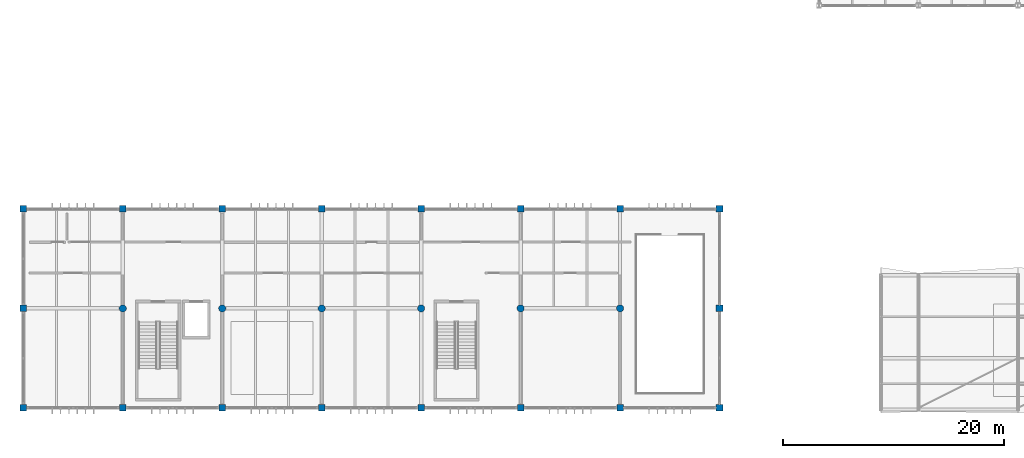
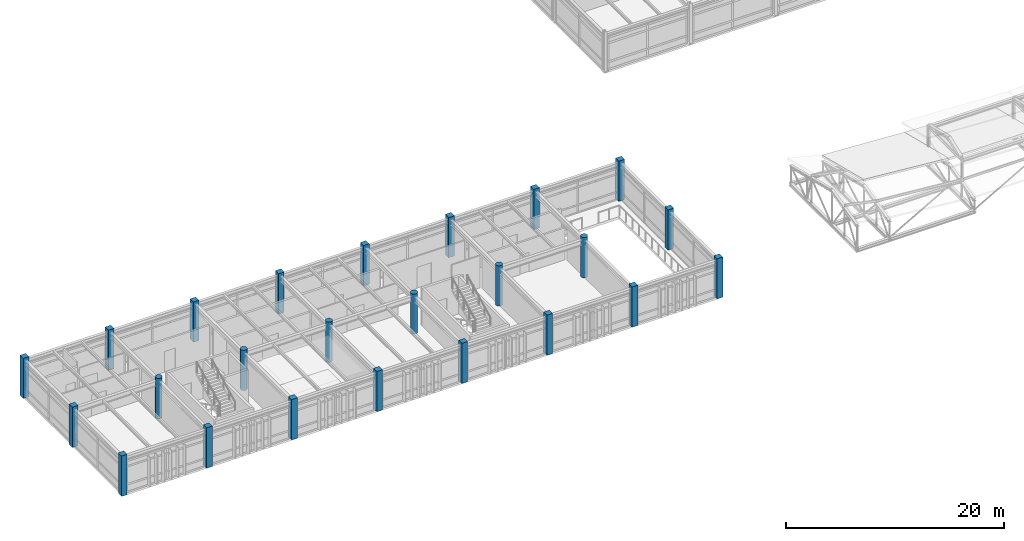
# One storey, part 1 of 55: 24 columns.
"""IFC4 building model written with IfcOpenShell, lengths in metres."""

from ifc_helpers import new_model, si_unit, direction, frame, origin, origin_2d, place, context, subcontext, project, spatial, rectangle, circle, extrude, material, material_profile, profile_set, type_object, element, save


model = new_model("IFC4")

# Units and contexts
model_context = context("Model", 3, precision=1e-05, world=origin(), true_north=direction((0.0, 1.0)))
body_context = subcontext(model_context, "Body", "Model", "MODEL_VIEW")
ifc_project = project(units=[si_unit("LENGTHUNIT", "METRE"), si_unit("AREAUNIT", "SQUARE_METRE"), si_unit("VOLUMEUNIT", "CUBIC_METRE"), si_unit("PLANEANGLEUNIT", "RADIAN"), si_unit("MASSUNIT", "GRAM", prefix="KILO")], contexts=[model_context])

# Site, building, storey
site_placement = place(None, origin())
site = spatial("IfcSite", under=ifc_project, at=site_placement, CompositionType="ELEMENT")
building_placement = place(site_placement, origin())
building = spatial("IfcBuilding", under=site, at=building_placement, Name="Bozkorgan Art Gallery", CompositionType="ELEMENT")
storey_placement = place(building_placement, frame((0.0, 0.0, 15.0)))
storey = spatial("IfcBuildingStorey", under=building, at=storey_placement, Name="L03", CompositionType="ELEMENT", Elevation=15.0)

# Columns
ifc_material = material(Name="Concrete C40/50", Category="concrete")
ifc_material_profile_1 = material_profile(ifc_material, circle(Radius=0.324951171875, at=origin_2d()), Name="RC D650")
ifc_profile_set_1 = profile_set([ifc_material_profile_1], Name="Concrete C40/50")
column_type_1 = type_object("IfcColumnType", Name="COLUMN-C-09", PredefinedType="COLUMN", material=ifc_profile_set_1)
for number, where, z_axis, x_axis, name in (
    (1, (11.0, 11.0, 0.0), (0.0, 0.0, 1.0), (1.0, 0.0, 0.0), "V1 L03 column (11.0, 11.0)"),
    (2, (20.0, 11.0, 0.0), (0.0, 0.0, 1.0), (1.0, 0.0, 0.0), "V1 L03 column (20.0, 11.0)"),
    (3, (29.0, 11.0, 0.0), (0.0, 0.0, 1.0), (1.0, 0.0, 0.0), "V1 L03 column (29.0, 11.0)"),
    (4, (38.0, 11.0, 0.0), (0.0, 0.0, 1.0), (1.0, 0.0, 0.0), "V1 L03 column (38.0, 11.0)"),
    (5, (47.0, 11.0, 0.0), (0.0, 0.0, 1.0), (1.0, 0.0, 0.0), "V1 L03 column (47.0, 11.0)"),
    (6, (56.0, 11.0, 0.0), (0.0, 0.0, 1.0), (1.0, 0.0, 0.0), "V1 L03 column (56.0, 11.0)"),
):
    element("IfcColumn", number, at=place(storey_placement, frame(where, z_axis=z_axis, x_axis=x_axis)), inside=storey, type_object=column_type_1, Name=name, PredefinedType="COLUMN", context=body_context, shape_type="SweptSolid", body=[
        extrude(circle(Radius=0.324951171875, at=origin_2d()), origin(), (0.0, 0.0, 1.0), 4.5),
    ])
ifc_material_profile_2 = material_profile(ifc_material, rectangle(XDim=0.60009765625, YDim=0.60009765625, at=origin_2d()), Name="RC 600x600")
ifc_profile_set_2 = profile_set([ifc_material_profile_2], Name="Concrete C40/50")
column_type_2 = type_object("IfcColumnType", Name="COLUMN-C-24", PredefinedType="COLUMN", material=ifc_profile_set_2)
for number, where, z_axis, x_axis, name in (
    (7, (2.0, 2.0, 0.0), (0.0, 0.0, 1.0), (1.0, 0.0, 0.0), "V1 L03 column (2.0, 2.0)"),
    (8, (2.0, 11.0, 0.0), (0.0, 0.0, 1.0), (1.0, 0.0, 0.0), "V1 L03 column (2.0, 11.0)"),
    (9, (2.0, 20.0, 0.0), (0.0, 0.0, 1.0), (1.0, 0.0, 0.0), "V1 L03 column (2.0, 20.0)"),
    (10, (11.0, 2.0, 0.0), (0.0, 0.0, 1.0), (1.0, 0.0, 0.0), "V1 L03 column (11.0, 2.0)"),
    (11, (11.0, 20.0, 0.0), (0.0, 0.0, 1.0), (1.0, 0.0, 0.0), "V1 L03 column (11.0, 20.0)"),
    (12, (20.0, 2.0, 0.0), (0.0, 0.0, 1.0), (1.0, 0.0, 0.0), "V1 L03 column (20.0, 2.0)"),
    (13, (20.0, 20.0, 0.0), (0.0, 0.0, 1.0), (1.0, 0.0, 0.0), "V1 L03 column (20.0, 20.0)"),
    (14, (29.0, 2.0, 0.0), (0.0, 0.0, 1.0), (1.0, 0.0, 0.0), "V1 L03 column (29.0, 2.0)"),
    (15, (29.0, 20.0, 0.0), (0.0, 0.0, 1.0), (1.0, 0.0, 0.0), "V1 L03 column (29.0, 20.0)"),
    (16, (38.0, 2.0, 0.0), (0.0, 0.0, 1.0), (1.0, 0.0, 0.0), "V1 L03 column (38.0, 2.0)"),
    (17, (38.0, 20.0, 0.0), (0.0, 0.0, 1.0), (1.0, 0.0, 0.0), "V1 L03 column (38.0, 20.0)"),
    (18, (47.0, 2.0, 0.0), (0.0, 0.0, 1.0), (1.0, 0.0, 0.0), "V1 L03 column (47.0, 2.0)"),
    (19, (47.0, 20.0, 0.0), (0.0, 0.0, 1.0), (1.0, 0.0, 0.0), "V1 L03 column (47.0, 20.0)"),
    (20, (56.0, 2.0, 0.0), (0.0, 0.0, 1.0), (1.0, 0.0, 0.0), "V1 L03 column (56.0, 2.0)"),
    (21, (56.0, 20.0, 0.0), (0.0, 0.0, 1.0), (1.0, 0.0, 0.0), "V1 L03 column (56.0, 20.0)"),
    (22, (65.0, 2.0, 0.0), (0.0, 0.0, 1.0), (1.0, 0.0, 0.0), "V1 L03 column (65.0, 2.0)"),
    (23, (65.0, 11.0, 0.0), (0.0, 0.0, 1.0), (1.0, 0.0, 0.0), "V1 L03 column (65.0, 11.0)"),
    (24, (65.0, 20.0, 0.0), (0.0, 0.0, 1.0), (1.0, 0.0, 0.0), "V1 L03 column (65.0, 20.0)"),
):
    element("IfcColumn", number, at=place(storey_placement, frame(where, z_axis=z_axis, x_axis=x_axis)), inside=storey, type_object=column_type_2, Name=name, PredefinedType="COLUMN", context=body_context, shape_type="SweptSolid", body=[
        extrude(rectangle(XDim=0.60009765625, YDim=0.60009765625, at=origin_2d()), origin(), (0.0, 0.0, 1.0), 4.5),
    ])

save(model, "model.ifc")
